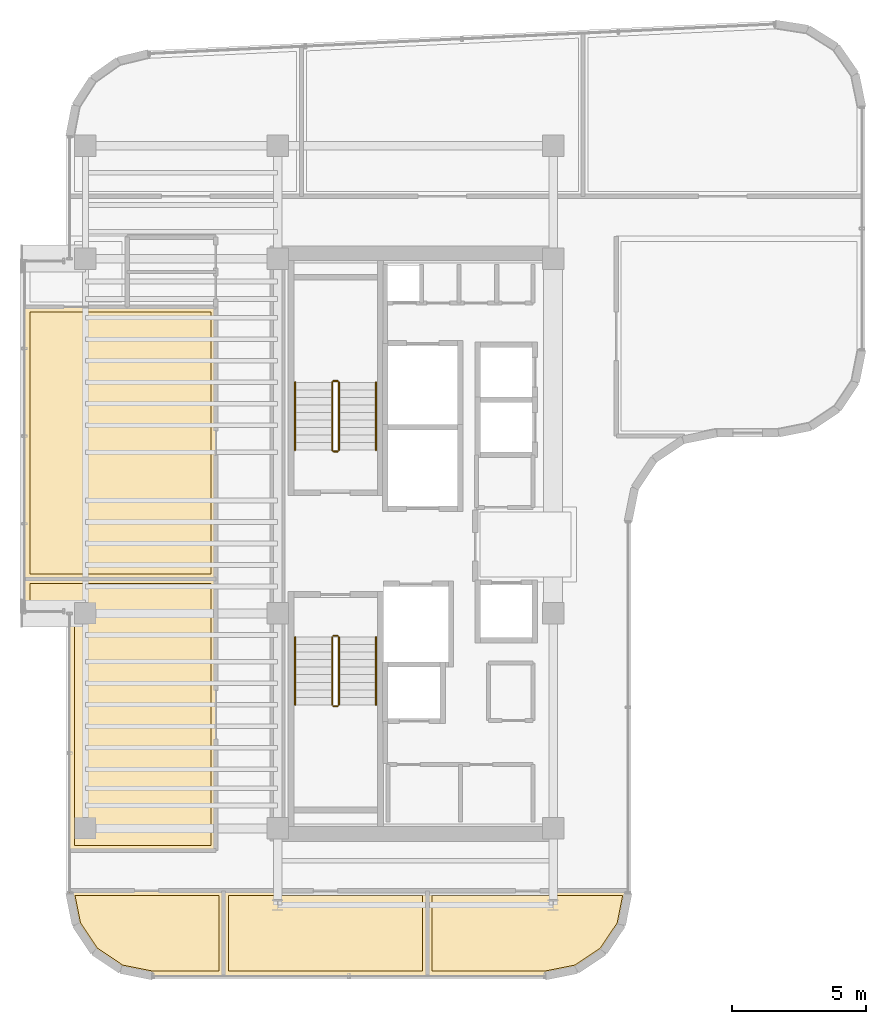
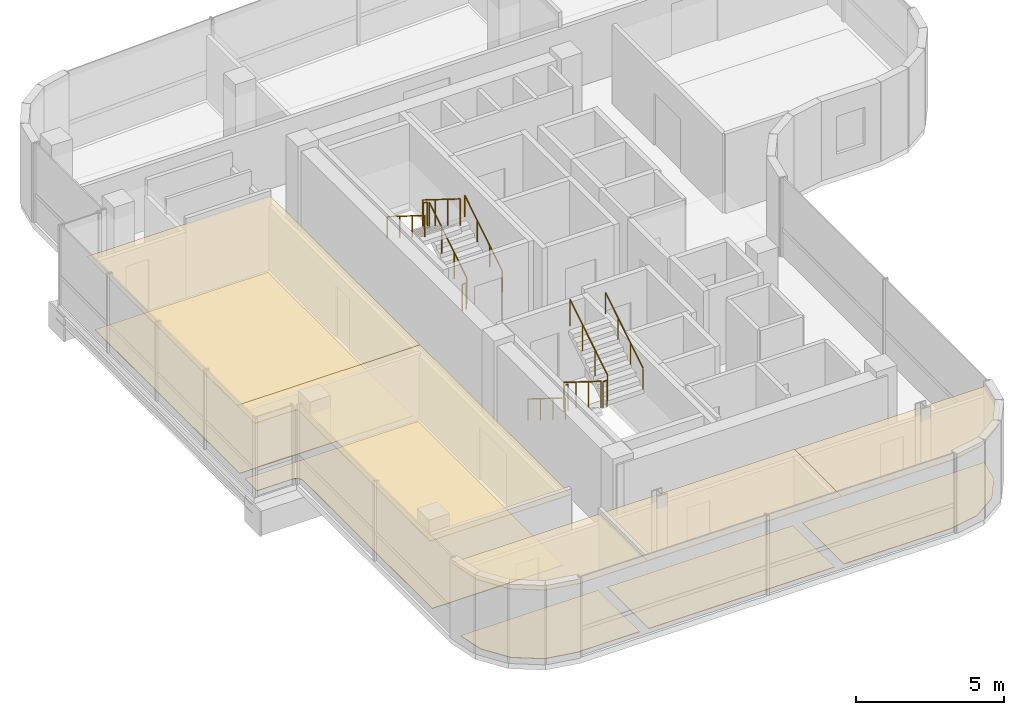
# One storey, part 17 of 18: 12 railings, 10 coverings.
"""IFC4 building model written with IfcOpenShell, lengths in metres."""

from ifc_helpers import new_model, si_unit, direction, frame, origin, origin_2d, place, context, subcontext, project, spatial, polyline, circle, outline, extrude, material, layer, layer_set, type_object, element, save


model = new_model("IFC4")

# Units and contexts
model_context = context("Model", 3, precision=1e-05, world=origin(), true_north=direction((0.0, 1.0)))
body_context = subcontext(model_context, "Body", "Model", "MODEL_VIEW")
ifc_project = project(units=[si_unit("LENGTHUNIT", "METRE"), si_unit("AREAUNIT", "SQUARE_METRE"), si_unit("VOLUMEUNIT", "CUBIC_METRE"), si_unit("PLANEANGLEUNIT", "RADIAN"), si_unit("MASSUNIT", "GRAM", prefix="KILO")], contexts=[model_context])

# Site, building, storey
site_placement = place(None, origin())
site = spatial("IfcSite", under=ifc_project, at=site_placement, CompositionType="ELEMENT")
building_placement = place(site_placement, origin())
building = spatial("IfcBuilding", under=site, at=building_placement, Name="Valdorenza Pilgrim Sanctuary Tower", CompositionType="ELEMENT")
storey_placement = place(building_placement, frame((0.0, 0.0, 273.0)))
storey = spatial("IfcBuildingStorey", under=building, at=storey_placement, Name="L71", CompositionType="ELEMENT", Elevation=273.0)

# Coverings
ifc_material_1 = material(Name="Micro-perforated acoustic mineral ceiling tile", Category="gypsum")
ifc_layer_1 = layer(ifc_material_1, 0.02490234375, Name="Micro-perforated acoustic mineral ceiling tile")
ifc_layer_set_1 = layer_set([ifc_layer_1], Name="Micro-perforated acoustic mineral ceiling tile")
covering_type_1 = type_object("IfcCoveringType", Name="COV-CLG-ACU", PredefinedType="CEILING", material=ifc_layer_set_1)
covering_1_placement = place(storey_placement, frame((0.0, 0.0, 2.9599609375)))
element("IfcCovering", 1, at=covering_1_placement, inside=storey, type_object=covering_type_1, Name="L71 Sacred Art Exhibition Gallery L71-W1 Acoustic Ceiling", PredefinedType="CEILING", context=body_context, shape_type="SweptSolid", body=[
    extrude(outline(polyline([(-24.93505859375, -11.419921875), (-24.93505859375, -11.42138671875), (-24.935302734375, -11.4228515625), (-24.935546875, -11.42431640625), (-24.93603515625, -11.42578125), (-24.936767578125, -11.427001953125), (-24.9375, -11.42822265625), (-24.9384765625, -11.429443359375), (-24.939453125, -11.4306640625), (-24.9404296875, -11.431640625), (-24.941650390625, -11.4326171875), (-24.94287109375, -11.43310546875), (-24.9443359375, -11.433837890625), (-24.945556640625, -11.434326171875), (-24.947021484375, -11.434814453125), (-24.948486328125, -11.434814453125), (-24.949951171875, -11.43505859375), (-30.389892578125, -11.43505859375), (-30.3916015625, -11.434814453125), (-30.392822265625, -11.434814453125), (-30.394287109375, -11.434326171875), (-30.395751953125, -11.433837890625), (-30.397216796875, -11.43310546875), (-30.398193359375, -11.4326171875), (-30.3994140625, -11.431640625), (-30.400634765625, -11.4306640625), (-30.401611328125, -11.429443359375), (-30.402587890625, -11.42822265625), (-30.4033203125, -11.427001953125), (-30.40380859375, -11.42578125), (-30.404296875, -11.42431640625), (-30.40478515625, -11.4228515625), (-30.40478515625, -11.42138671875), (-30.405029296875, -11.419921875), (-30.405029296875, -2.600341796875), (-30.405517578125, -2.5908203125), (-30.40673828125, -2.58154296875), (-30.4091796875, -2.572509765625), (-30.412109375, -2.563720703125), (-30.416259765625, -2.55517578125), (-30.4208984375, -2.547119140625), (-30.426513671875, -2.539794921875), (-30.432861328125, -2.53271484375), (-30.439697265625, -2.526611328125), (-30.447265625, -2.52099609375), (-30.455078125, -2.51611328125), (-30.463623046875, -2.51220703125), (-30.472412109375, -2.509033203125), (-30.4814453125, -2.5068359375), (-30.49072265625, -2.505615234375), (-30.50048828125, -2.5048828125), (-32.0400390625, -2.5048828125), (-32.04150390625, -2.5048828125), (-32.04296875, -2.504638671875), (-32.04443359375, -2.50439453125), (-32.045654296875, -2.50390625), (-32.047119140625, -2.503173828125), (-32.04833984375, -2.50244140625), (-32.049560546875, -2.501708984375), (-32.050537109375, -2.50048828125), (-32.051513671875, -2.49951171875), (-32.052490234375, -2.498291015625), (-32.05322265625, -2.4970703125), (-32.053955078125, -2.49560546875), (-32.054443359375, -2.494384765625), (-32.0546875, -2.492919921875), (-32.054931640625, -2.491455078125), (-32.054931640625, -2.489990234375), (-32.054931640625, -1.31005859375), (-32.054931640625, -1.30859375), (-32.0546875, -1.30712890625), (-32.054443359375, -1.3056640625), (-32.053955078125, -1.30419921875), (-32.05322265625, -1.302978515625), (-32.052490234375, -1.3017578125), (-32.051513671875, -1.300537109375), (-32.050537109375, -1.29931640625), (-32.049560546875, -1.29833984375), (-32.04833984375, -1.297607421875), (-32.047119140625, -1.296875), (-32.045654296875, -1.296142578125), (-32.04443359375, -1.295654296875), (-32.04296875, -1.29541015625), (-32.04150390625, -1.295166015625), (-32.0400390625, -1.294921875), (-24.949951171875, -1.294921875), (-24.948486328125, -1.295166015625), (-24.947021484375, -1.29541015625), (-24.945556640625, -1.295654296875), (-24.9443359375, -1.296142578125), (-24.94287109375, -1.296875), (-24.941650390625, -1.297607421875), (-24.9404296875, -1.29833984375), (-24.939453125, -1.29931640625), (-24.9384765625, -1.300537109375), (-24.9375, -1.3017578125), (-24.936767578125, -1.302978515625), (-24.93603515625, -1.30419921875), (-24.935546875, -1.3056640625), (-24.935302734375, -1.30712890625), (-24.93505859375, -1.30859375), (-24.93505859375, -1.31005859375), (-24.93505859375, -11.419921875)])), origin(), (0.0, 0.0, 1.0), 0.025146484375),
])
covering_2_placement = place(storey_placement, frame((0.0, 0.0, 2.9599609375)))
element("IfcCovering", 2, at=covering_2_placement, inside=storey, type_object=covering_type_1, Name="L71 Sacred Manuscript Archive L71-W2 Acoustic Ceiling", PredefinedType="CEILING", context=body_context, shape_type="SweptSolid", body=[
    extrude(outline(polyline([(-28.253662109375, 8.81298828125), (-28.253173828125, 8.81298828125), (-28.25146484375, 8.813232421875), (-28.25, 8.813232421875), (-28.24853515625, 8.81298828125), (-28.248291015625, 8.81298828125), (-24.949951171875, 8.81298828125), (-24.948486328125, 8.81298828125), (-24.947021484375, 8.812744140625), (-24.945556640625, 8.8125), (-24.9443359375, 8.81201171875), (-24.94287109375, 8.811279296875), (-24.941650390625, 8.810546875), (-24.9404296875, 8.8095703125), (-24.939453125, 8.80859375), (-24.9384765625, 8.8076171875), (-24.9375, 8.806396484375), (-24.936767578125, 8.80517578125), (-24.93603515625, 8.8037109375), (-24.935546875, 8.802490234375), (-24.935302734375, 8.80078125), (-24.93505859375, 8.799560546875), (-24.93505859375, 8.798095703125), (-24.93505859375, -1.30810546875), (-24.93505859375, -1.3095703125), (-24.935302734375, -1.310791015625), (-24.935546875, -1.3125), (-24.93603515625, -1.313720703125), (-24.936767578125, -1.315185546875), (-24.9375, -1.31640625), (-24.9384765625, -1.3173828125), (-24.939453125, -1.318603515625), (-24.9404296875, -1.319580078125), (-24.941650390625, -1.320556640625), (-24.94287109375, -1.3212890625), (-24.9443359375, -1.322021484375), (-24.945556640625, -1.322509765625), (-24.947021484375, -1.32275390625), (-24.948486328125, -1.322998046875), (-24.949951171875, -1.322998046875), (-32.0400390625, -1.322998046875), (-32.04150390625, -1.322998046875), (-32.04296875, -1.32275390625), (-32.04443359375, -1.322509765625), (-32.045654296875, -1.322021484375), (-32.047119140625, -1.3212890625), (-32.04833984375, -1.320556640625), (-32.049560546875, -1.319580078125), (-32.050537109375, -1.318603515625), (-32.051513671875, -1.3173828125), (-32.052490234375, -1.31640625), (-32.05322265625, -1.315185546875), (-32.053955078125, -1.313720703125), (-32.054443359375, -1.3125), (-32.0546875, -1.310791015625), (-32.054931640625, -1.3095703125), (-32.054931640625, -1.30810546875), (-32.054931640625, 8.798095703125), (-32.054931640625, 8.799560546875), (-32.0546875, 8.80078125), (-32.054443359375, 8.802490234375), (-32.053955078125, 8.8037109375), (-32.05322265625, 8.80517578125), (-32.052490234375, 8.806396484375), (-32.051513671875, 8.8076171875), (-32.050537109375, 8.80859375), (-32.049560546875, 8.8095703125), (-32.04833984375, 8.810546875), (-32.047119140625, 8.811279296875), (-32.045654296875, 8.81201171875), (-32.04443359375, 8.8125), (-32.04296875, 8.812744140625), (-32.04150390625, 8.81298828125), (-32.0400390625, 8.81298828125), (-28.253662109375, 8.81298828125)])), origin(), (0.0, 0.0, 1.0), 0.025146484375),
])
covering_3_placement = place(storey_placement, frame((0.0, 0.0, 2.9599609375)))
element("IfcCovering", 3, at=covering_3_placement, inside=storey, type_object=covering_type_1, Name="L71 Pilgrim Scholar Office L71-S1 Acoustic Ceiling", PredefinedType="CEILING", context=body_context, shape_type="SweptSolid", body=[
    extrude(outline(polyline([(-24.64501953125, -16.090087890625), (-24.64501953125, -16.091552734375), (-24.645263671875, -16.093017578125), (-24.6455078125, -16.094482421875), (-24.64599609375, -16.095703125), (-24.646728515625, -16.09716796875), (-24.6474609375, -16.098388671875), (-24.6484375, -16.099609375), (-24.6494140625, -16.1005859375), (-24.650390625, -16.1015625), (-24.651611328125, -16.1025390625), (-24.65283203125, -16.103271484375), (-24.654296875, -16.10400390625), (-24.655517578125, -16.1044921875), (-24.656982421875, -16.104736328125), (-24.658447265625, -16.10498046875), (-24.659912109375, -16.10498046875), (-27.289306640625, -16.10498046875), (-27.29052734375, -16.10498046875), (-27.2919921875, -16.104736328125), (-28.484619140625, -15.867431640625), (-28.486083984375, -15.8671875), (-28.4873046875, -15.86669921875), (-28.48876953125, -15.865966796875), (-28.489990234375, -15.865234375), (-29.49169921875, -15.19580078125), (-29.492919921875, -15.195068359375), (-29.493896484375, -15.194091796875), (-29.4951171875, -15.19287109375), (-29.495849609375, -15.191650390625), (-30.165283203125, -14.18994140625), (-30.166015625, -14.188720703125), (-30.16650390625, -14.1875), (-30.1669921875, -14.18603515625), (-30.16748046875, -14.1845703125), (-30.40478515625, -12.9921875), (-30.40478515625, -12.990478515625), (-30.405029296875, -12.9892578125), (-30.405029296875, -12.919921875), (-30.40478515625, -12.91845703125), (-30.40478515625, -12.9169921875), (-30.404296875, -12.91552734375), (-30.40380859375, -12.914306640625), (-30.4033203125, -12.912841796875), (-30.402587890625, -12.91162109375), (-30.401611328125, -12.910400390625), (-30.400634765625, -12.909423828125), (-30.3994140625, -12.908447265625), (-30.398193359375, -12.907470703125), (-30.397216796875, -12.90673828125), (-30.395751953125, -12.906005859375), (-30.394287109375, -12.905517578125), (-30.392822265625, -12.9052734375), (-30.3916015625, -12.905029296875), (-30.389892578125, -12.905029296875), (-24.659912109375, -12.905029296875), (-24.658447265625, -12.905029296875), (-24.656982421875, -12.9052734375), (-24.655517578125, -12.905517578125), (-24.654296875, -12.906005859375), (-24.65283203125, -12.90673828125), (-24.651611328125, -12.907470703125), (-24.650390625, -12.908447265625), (-24.6494140625, -12.909423828125), (-24.6484375, -12.910400390625), (-24.6474609375, -12.91162109375), (-24.646728515625, -12.912841796875), (-24.64599609375, -12.914306640625), (-24.6455078125, -12.91552734375), (-24.645263671875, -12.9169921875), (-24.64501953125, -12.91845703125), (-24.64501953125, -12.919921875), (-24.64501953125, -16.090087890625)])), origin(), (0.0, 0.0, 1.0), 0.025146484375),
])
covering_4_placement = place(storey_placement, frame((0.0, 0.0, 2.9599609375)))
element("IfcCovering", 4, at=covering_4_placement, inside=storey, type_object=covering_type_1, Name="L71 Pilgrim Scholar Office L71-S2 Acoustic Ceiling", PredefinedType="CEILING", context=body_context, shape_type="SweptSolid", body=[
    extrude(outline(polyline([(-17.080078125, -12.905029296875), (-17.07861328125, -12.905029296875), (-17.0771484375, -12.9052734375), (-17.07568359375, -12.905517578125), (-17.07421875, -12.906005859375), (-17.072998046875, -12.90673828125), (-17.07177734375, -12.907470703125), (-17.070556640625, -12.908447265625), (-17.0693359375, -12.909423828125), (-17.068359375, -12.910400390625), (-17.0673828125, -12.91162109375), (-17.06689453125, -12.912841796875), (-17.066162109375, -12.914306640625), (-17.065673828125, -12.91552734375), (-17.065185546875, -12.9169921875), (-17.065185546875, -12.91845703125), (-17.06494140625, -12.919921875), (-17.06494140625, -16.090087890625), (-17.065185546875, -16.091552734375), (-17.065185546875, -16.093017578125), (-17.065673828125, -16.094482421875), (-17.066162109375, -16.095703125), (-17.06689453125, -16.09716796875), (-17.0673828125, -16.098388671875), (-17.068359375, -16.099609375), (-17.0693359375, -16.1005859375), (-17.070556640625, -16.1015625), (-17.07177734375, -16.1025390625), (-17.072998046875, -16.103271484375), (-17.07421875, -16.10400390625), (-17.07568359375, -16.1044921875), (-17.0771484375, -16.104736328125), (-17.07861328125, -16.10498046875), (-17.080078125, -16.10498046875), (-24.657958984375, -16.10498046875), (-24.659423828125, -16.10498046875), (-24.660888671875, -16.104736328125), (-24.662353515625, -16.1044921875), (-24.663818359375, -16.10400390625), (-24.6650390625, -16.103271484375), (-24.666259765625, -16.1025390625), (-24.66748046875, -16.1015625), (-24.668701171875, -16.1005859375), (-24.669677734375, -16.099609375), (-24.67041015625, -16.098388671875), (-24.671142578125, -16.09716796875), (-24.671875, -16.095703125), (-24.67236328125, -16.094482421875), (-24.672607421875, -16.093017578125), (-24.6728515625, -16.091552734375), (-24.673095703125, -16.090087890625), (-24.673095703125, -12.919921875), (-24.6728515625, -12.91845703125), (-24.672607421875, -12.9169921875), (-24.67236328125, -12.91552734375), (-24.671875, -12.914306640625), (-24.671142578125, -12.912841796875), (-24.67041015625, -12.91162109375), (-24.669677734375, -12.910400390625), (-24.668701171875, -12.909423828125), (-24.66748046875, -12.908447265625), (-24.666259765625, -12.907470703125), (-24.6650390625, -12.90673828125), (-24.663818359375, -12.906005859375), (-24.662353515625, -12.905517578125), (-24.660888671875, -12.9052734375), (-24.659423828125, -12.905029296875), (-24.657958984375, -12.905029296875), (-17.080078125, -12.905029296875)])), origin(), (0.0, 0.0, 1.0), 0.025146484375),
])
covering_5_placement = place(storey_placement, frame((0.0, 0.0, 2.9599609375)))
element("IfcCovering", 5, at=covering_5_placement, inside=storey, type_object=covering_type_1, Name="L71 Pilgrim Scholar Office L71-S3 Acoustic Ceiling", PredefinedType="CEILING", context=body_context, shape_type="SweptSolid", body=[
    extrude(outline(polyline([(-9.610107421875, -12.905029296875), (-9.6083984375, -12.905029296875), (-9.607177734375, -12.9052734375), (-9.605712890625, -12.905517578125), (-9.604248046875, -12.906005859375), (-9.602783203125, -12.90673828125), (-9.601806640625, -12.907470703125), (-9.6005859375, -12.908447265625), (-9.599365234375, -12.909423828125), (-9.598388671875, -12.910400390625), (-9.597412109375, -12.91162109375), (-9.5966796875, -12.912841796875), (-9.59619140625, -12.914306640625), (-9.595703125, -12.91552734375), (-9.59521484375, -12.9169921875), (-9.59521484375, -12.91845703125), (-9.594970703125, -12.919921875), (-9.594970703125, -12.9892578125), (-9.59521484375, -12.990478515625), (-9.59521484375, -12.9921875), (-9.83251953125, -14.1845703125), (-9.8330078125, -14.18603515625), (-9.83349609375, -14.1875), (-9.833984375, -14.188720703125), (-9.834716796875, -14.18994140625), (-10.504150390625, -15.191650390625), (-10.5048828125, -15.19287109375), (-10.506103515625, -15.194091796875), (-10.507080078125, -15.195068359375), (-10.50830078125, -15.19580078125), (-11.510009765625, -15.865234375), (-11.51123046875, -15.865966796875), (-11.5126953125, -15.86669921875), (-11.513916015625, -15.8671875), (-11.515380859375, -15.867431640625), (-12.7080078125, -16.104736328125), (-12.70947265625, -16.10498046875), (-12.710693359375, -16.10498046875), (-17.077880859375, -16.10498046875), (-17.07958984375, -16.10498046875), (-17.080810546875, -16.104736328125), (-17.08251953125, -16.1044921875), (-17.083740234375, -16.10400390625), (-17.085205078125, -16.103271484375), (-17.086181640625, -16.1025390625), (-17.08740234375, -16.1015625), (-17.088623046875, -16.1005859375), (-17.089599609375, -16.099609375), (-17.090576171875, -16.098388671875), (-17.09130859375, -16.09716796875), (-17.091796875, -16.095703125), (-17.09228515625, -16.094482421875), (-17.0927734375, -16.093017578125), (-17.093017578125, -16.091552734375), (-17.093017578125, -16.090087890625), (-17.093017578125, -12.919921875), (-17.093017578125, -12.91845703125), (-17.0927734375, -12.9169921875), (-17.09228515625, -12.91552734375), (-17.091796875, -12.914306640625), (-17.09130859375, -12.912841796875), (-17.090576171875, -12.91162109375), (-17.089599609375, -12.910400390625), (-17.088623046875, -12.909423828125), (-17.08740234375, -12.908447265625), (-17.086181640625, -12.907470703125), (-17.085205078125, -12.90673828125), (-17.083740234375, -12.906005859375), (-17.08251953125, -12.905517578125), (-17.080810546875, -12.9052734375), (-17.07958984375, -12.905029296875), (-17.077880859375, -12.905029296875), (-9.610107421875, -12.905029296875)])), origin(), (0.0, 0.0, 1.0), 0.025146484375),
])
ifc_material_2 = material(Name="Honed travertine stone flooring", Category="masonry")
ifc_layer_2 = layer(ifc_material_2, 0.030029296875, Name="Honed travertine stone flooring")
ifc_layer_set_2 = layer_set([ifc_layer_2], Name="Honed travertine stone flooring")
covering_type_2 = type_object("IfcCoveringType", Name="COV-FLR-TRV", PredefinedType="FLOORING", material=ifc_layer_set_2)
covering_6_placement = place(storey_placement, origin())
element("IfcCovering", 6, at=covering_6_placement, inside=storey, type_object=covering_type_2, Name="L71 Sacred Art Exhibition Gallery L71-W1 Flooring", PredefinedType="FLOORING", context=body_context, shape_type="SweptSolid", body=[
    extrude(outline(polyline([(-25.1298828125, -11.239990234375), (-30.2099609375, -11.239990234375), (-30.2099609375, -2.60009765625), (-30.210205078125, -2.59130859375), (-30.210693359375, -2.580322265625), (-30.21240234375, -2.562744140625), (-30.214111328125, -2.552001953125), (-30.217529296875, -2.534912109375), (-30.22021484375, -2.5244140625), (-30.225341796875, -2.50732421875), (-30.22900390625, -2.497314453125), (-30.235595703125, -2.48095703125), (-30.240234375, -2.47119140625), (-30.24853515625, -2.45556640625), (-30.254150390625, -2.4462890625), (-30.263916015625, -2.431640625), (-30.2705078125, -2.423095703125), (-30.281494140625, -2.4091796875), (-30.288818359375, -2.4013671875), (-30.30126953125, -2.388916015625), (-30.309326171875, -2.381591796875), (-30.322998046875, -2.370361328125), (-30.331787109375, -2.364013671875), (-30.34619140625, -2.35400390625), (-30.355712890625, -2.3486328125), (-30.37109375, -2.34033203125), (-30.380859375, -2.335693359375), (-30.397216796875, -2.328857421875), (-30.407470703125, -2.3251953125), (-30.42431640625, -2.320068359375), (-30.434814453125, -2.3173828125), (-30.4521484375, -2.314208984375), (-30.462890625, -2.3125), (-30.48046875, -2.310791015625), (-30.4912109375, -2.310302734375), (-30.5, -2.31005859375), (-31.860107421875, -2.31005859375), (-31.860107421875, -1.489990234375), (-25.1298828125, -1.489990234375), (-25.1298828125, -11.239990234375)])), origin(), (0.0, 0.0, 1.0), 0.02490234375),
])
covering_7_placement = place(storey_placement, origin())
element("IfcCovering", 7, at=covering_7_placement, inside=storey, type_object=covering_type_2, Name="L71 Sacred Manuscript Archive L71-W2 Flooring", PredefinedType="FLOORING", context=body_context, shape_type="SweptSolid", body=[
    extrude(outline(polyline([(-28.250244140625, 8.617919921875), (-28.25, 8.617919921875), (-25.1298828125, 8.617919921875), (-25.1298828125, -1.1279296875), (-31.860107421875, -1.1279296875), (-31.860107421875, 8.617919921875), (-28.251953125, 8.617919921875), (-28.2509765625, 8.617919921875), (-28.250244140625, 8.617919921875)])), origin(), (0.0, 0.0, 1.0), 0.02490234375),
])
covering_8_placement = place(storey_placement, origin())
element("IfcCovering", 8, at=covering_8_placement, inside=storey, type_object=covering_type_2, Name="L71 Pilgrim Scholar Office L71-S1 Flooring", PredefinedType="FLOORING", context=body_context, shape_type="SweptSolid", body=[
    extrude(outline(polyline([(-30.184326171875, -13.10009765625), (-24.840087890625, -13.10009765625), (-24.840087890625, -15.909912109375), (-27.271484375, -15.909912109375), (-28.411376953125, -15.68310546875), (-29.353515625, -15.0537109375), (-29.983154296875, -14.111328125), (-30.184326171875, -13.10009765625)])), origin(), (0.0, 0.0, 1.0), 0.02490234375),
])
covering_9_placement = place(storey_placement, origin())
element("IfcCovering", 9, at=covering_9_placement, inside=storey, type_object=covering_type_2, Name="L71 Pilgrim Scholar Office L71-S2 Flooring", PredefinedType="FLOORING", context=body_context, shape_type="SweptSolid", body=[
    extrude(outline(polyline([(-17.260009765625, -13.10009765625), (-17.260009765625, -15.909912109375), (-24.47802734375, -15.909912109375), (-24.47802734375, -13.10009765625), (-17.260009765625, -13.10009765625)])), origin(), (0.0, 0.0, 1.0), 0.02490234375),
])
covering_10_placement = place(storey_placement, origin())
element("IfcCovering", 10, at=covering_10_placement, inside=storey, type_object=covering_type_2, Name="L71 Pilgrim Scholar Office L71-S3 Flooring", PredefinedType="FLOORING", context=body_context, shape_type="SweptSolid", body=[
    extrude(outline(polyline([(-9.815673828125, -13.10009765625), (-10.016845703125, -14.111328125), (-10.646484375, -15.0537109375), (-11.588623046875, -15.68310546875), (-12.728515625, -15.909912109375), (-16.89794921875, -15.909912109375), (-16.89794921875, -13.10009765625), (-9.815673828125, -13.10009765625)])), origin(), (0.0, 0.0, 1.0), 0.02490234375),
])

# Railings
ifc_material_3 = material(Name="Stainless steel Grade 316", Category="steel")
railing_type_1 = type_object("IfcRailingType", Name="RLG-GRD-1120", PredefinedType="GUARDRAIL", material=ifc_material_3)
railing_1_placement = place(storey_placement, frame((-20.3701171875, 3.47998046875, 0.175048828125)))
element("IfcRailing", 11, at=railing_1_placement, inside=storey, type_object=railing_type_1, Name="L71 ST-A1 stair guard 1", PredefinedType="GUARDRAIL", context=body_context, shape_type="SweptSolid", body=[
    extrude(circle(Radius=0.02392578125, at=origin_2d()), frame((0.0, 0.0, 1.076171875), z_axis=(0.0, 0.848007534815, 0.529984170421), x_axis=(-1.0, 0.0, 0.0)), (0.0, 0.0, 1.0), 2.9716796875),
    extrude(circle(Radius=0.02099609375, at=origin_2d()), origin(), (0.0, 0.0, 1.0), 1.052001953125),
    extrude(circle(Radius=0.02099609375, at=origin_2d()), frame((0.0, 0.840087890625, 0.52490234375)), (0.0, 0.0, 1.0), 1.052001953125),
    extrude(circle(Radius=0.02099609375, at=origin_2d()), frame((0.0, 1.679931640625, 1.050048828125)), (0.0, 0.0, 1.0), 1.052001953125),
    extrude(circle(Radius=0.02099609375, at=origin_2d()), frame((0.0, 2.52001953125, 1.574951171875)), (0.0, 0.0, 1.0), 1.052001953125),
])
railing_2_placement = place(storey_placement, frame((-20.419921875, 6.050048828125, 1.75)))
element("IfcRailing", 12, at=railing_2_placement, inside=storey, type_object=railing_type_1, Name="L71 ST-A1 stair guard 2", PredefinedType="GUARDRAIL", context=body_context, shape_type="SweptSolid", body=[
    extrude(circle(Radius=0.02392578125, at=origin_2d()), frame((0.0, 0.0, 1.076171875), z_axis=(-1.0, 0.0, 0.0), x_axis=(0.0, -1.0, 0.0)), (0.0, 0.0, 1.0), 0.150146484375),
    extrude(circle(Radius=0.02099609375, at=origin_2d()), origin(), (0.0, 0.0, 1.0), 1.052001953125),
    extrude(circle(Radius=0.02099609375, at=origin_2d()), frame((-0.150146484375, 0.0, 0.0)), (0.0, 0.0, 1.0), 1.052001953125),
])
railing_3_placement = place(storey_placement, frame((-20.6201171875, 6.0, 1.925048828125)))
element("IfcRailing", 13, at=railing_3_placement, inside=storey, type_object=railing_type_1, Name="L71 ST-A1 stair guard 3", PredefinedType="GUARDRAIL", context=body_context, shape_type="SweptSolid", body=[
    extrude(circle(Radius=0.02392578125, at=origin_2d()), frame((0.0, 0.0, 1.076171875), z_axis=(0.0, -0.848007534815, 0.529984170421), x_axis=(1.0, 0.0, 0.0)), (0.0, 0.0, 1.0), 2.9716796875),
    extrude(circle(Radius=0.02099609375, at=origin_2d()), origin(), (0.0, 0.0, 1.0), 1.052001953125),
    extrude(circle(Radius=0.02099609375, at=origin_2d()), frame((0.0, -0.840087890625, 0.52490234375)), (0.0, 0.0, 1.0), 1.052001953125),
    extrude(circle(Radius=0.02099609375, at=origin_2d()), frame((0.0, -1.679931640625, 1.050048828125)), (0.0, 0.0, 1.0), 1.052001953125),
    extrude(circle(Radius=0.02099609375, at=origin_2d()), frame((0.0, -2.52001953125, 1.574951171875)), (0.0, 0.0, 1.0), 1.052001953125),
])
railing_4_placement = place(storey_placement, frame((-20.419921875, 3.429931640625, 0.0)))
element("IfcRailing", 14, at=railing_4_placement, inside=storey, type_object=railing_type_1, Name="L71 ST-A1 stair guard 4", PredefinedType="GUARDRAIL", context=body_context, shape_type="SweptSolid", body=[
    extrude(circle(Radius=0.02392578125, at=origin_2d()), frame((0.0, 0.0, 1.076171875), z_axis=(-1.0, 0.0, 0.0), x_axis=(0.0, -1.0, 0.0)), (0.0, 0.0, 1.0), 0.150146484375),
    extrude(circle(Radius=0.02099609375, at=origin_2d()), origin(), (0.0, 0.0, 1.0), 1.052001953125),
    extrude(circle(Radius=0.02099609375, at=origin_2d()), frame((-0.150146484375, 0.0, 0.0)), (0.0, 0.0, 1.0), 1.052001953125),
])
railing_5_placement = place(storey_placement, frame((-20.6201171875, -3.47998046875, 0.175048828125)))
element("IfcRailing", 15, at=railing_5_placement, inside=storey, type_object=railing_type_1, Name="L71 ST-A2 stair guard 1", PredefinedType="GUARDRAIL", context=body_context, shape_type="SweptSolid", body=[
    extrude(circle(Radius=0.02392578125, at=origin_2d()), frame((0.0, 0.0, 1.076171875), z_axis=(0.0, -0.848007534815, 0.529984170421), x_axis=(1.0, 0.0, 0.0)), (0.0, 0.0, 1.0), 2.9716796875),
    extrude(circle(Radius=0.02099609375, at=origin_2d()), origin(), (0.0, 0.0, 1.0), 1.052001953125),
    extrude(circle(Radius=0.02099609375, at=origin_2d()), frame((0.0, -0.840087890625, 0.52490234375)), (0.0, 0.0, 1.0), 1.052001953125),
    extrude(circle(Radius=0.02099609375, at=origin_2d()), frame((0.0, -1.679931640625, 1.050048828125)), (0.0, 0.0, 1.0), 1.052001953125),
    extrude(circle(Radius=0.02099609375, at=origin_2d()), frame((0.0, -2.52001953125, 1.574951171875)), (0.0, 0.0, 1.0), 1.052001953125),
])
railing_6_placement = place(storey_placement, frame((-20.570068359375, -6.050048828125, 1.75)))
element("IfcRailing", 16, at=railing_6_placement, inside=storey, type_object=railing_type_1, Name="L71 ST-A2 stair guard 2", PredefinedType="GUARDRAIL", context=body_context, shape_type="SweptSolid", body=[
    extrude(circle(Radius=0.02392578125, at=origin_2d()), frame((0.0, 0.0, 1.076171875), z_axis=(1.0, 0.0, 0.0), x_axis=(0.0, 1.0, 0.0)), (0.0, 0.0, 1.0), 0.150146484375),
    extrude(circle(Radius=0.02099609375, at=origin_2d()), origin(), (0.0, 0.0, 1.0), 1.052001953125),
    extrude(circle(Radius=0.02099609375, at=origin_2d()), frame((0.150146484375, 0.0, 0.0)), (0.0, 0.0, 1.0), 1.052001953125),
])
railing_7_placement = place(storey_placement, frame((-20.3701171875, -6.0, 1.925048828125)))
element("IfcRailing", 17, at=railing_7_placement, inside=storey, type_object=railing_type_1, Name="L71 ST-A2 stair guard 3", PredefinedType="GUARDRAIL", context=body_context, shape_type="SweptSolid", body=[
    extrude(circle(Radius=0.02392578125, at=origin_2d()), frame((0.0, 0.0, 1.076171875), z_axis=(0.0, 0.848007534815, 0.529984170421), x_axis=(-1.0, 0.0, 0.0)), (0.0, 0.0, 1.0), 2.9716796875),
    extrude(circle(Radius=0.02099609375, at=origin_2d()), origin(), (0.0, 0.0, 1.0), 1.052001953125),
    extrude(circle(Radius=0.02099609375, at=origin_2d()), frame((0.0, 0.840087890625, 0.52490234375)), (0.0, 0.0, 1.0), 1.052001953125),
    extrude(circle(Radius=0.02099609375, at=origin_2d()), frame((0.0, 1.679931640625, 1.050048828125)), (0.0, 0.0, 1.0), 1.052001953125),
    extrude(circle(Radius=0.02099609375, at=origin_2d()), frame((0.0, 2.52001953125, 1.574951171875)), (0.0, 0.0, 1.0), 1.052001953125),
])
railing_8_placement = place(storey_placement, frame((-20.570068359375, -3.429931640625, 0.0)))
element("IfcRailing", 18, at=railing_8_placement, inside=storey, type_object=railing_type_1, Name="L71 ST-A2 stair guard 4", PredefinedType="GUARDRAIL", context=body_context, shape_type="SweptSolid", body=[
    extrude(circle(Radius=0.02392578125, at=origin_2d()), frame((0.0, 0.0, 1.076171875), z_axis=(1.0, 0.0, 0.0), x_axis=(0.0, 1.0, 0.0)), (0.0, 0.0, 1.0), 0.150146484375),
    extrude(circle(Radius=0.02099609375, at=origin_2d()), origin(), (0.0, 0.0, 1.0), 1.052001953125),
    extrude(circle(Radius=0.02099609375, at=origin_2d()), frame((0.150146484375, 0.0, 0.0)), (0.0, 0.0, 1.0), 1.052001953125),
])
ifc_material_4 = material(Name="Brushed stainless steel Grade 316", Category="steel")
railing_type_2 = type_object("IfcRailingType", Name="RLG-HND-920", PredefinedType="HANDRAIL", material=ifc_material_4)
railing_9_placement = place(storey_placement, frame((-18.989990234375, 3.47998046875, 0.175048828125)))
element("IfcRailing", 19, at=railing_9_placement, inside=storey, type_object=railing_type_2, Name="L71 ST-A1 stair handrail 1", PredefinedType="HANDRAIL", context=body_context, shape_type="SweptSolid", body=[
    extrude(circle(Radius=0.02392578125, at=origin_2d()), frame((0.0, 0.0, 0.8759765625), z_axis=(0.0, 0.848007534815, 0.529984170421), x_axis=(-1.0, 0.0, 0.0)), (0.0, 0.0, 1.0), 2.9716796875),
    extrude(circle(Radius=0.02099609375, at=origin_2d()), origin(), (0.0, 0.0, 1.0), 0.851806640625),
    extrude(circle(Radius=0.02099609375, at=origin_2d()), frame((0.0, 0.840087890625, 0.52490234375)), (0.0, 0.0, 1.0), 0.851806640625),
    extrude(circle(Radius=0.02099609375, at=origin_2d()), frame((0.0, 1.679931640625, 1.050048828125)), (0.0, 0.0, 1.0), 0.851806640625),
    extrude(circle(Radius=0.02099609375, at=origin_2d()), frame((0.0, 2.52001953125, 1.574951171875)), (0.0, 0.0, 1.0), 0.851806640625),
])
for number, where, name in (
    (20, (-22.0, 6.0, 1.925048828125), "L71 ST-A1 stair handrail 2"),
    (21, (-22.0, -3.47998046875, 0.175048828125), "L71 ST-A2 stair handrail 1"),
):
    element("IfcRailing", number, at=place(storey_placement, frame(where)), inside=storey, type_object=railing_type_2, Name=name, PredefinedType="HANDRAIL", context=body_context, shape_type="SweptSolid", body=[
        extrude(circle(Radius=0.02392578125, at=origin_2d()), frame((0.0, 0.0, 0.8759765625), z_axis=(0.0, -0.848007534815, 0.529984170421), x_axis=(1.0, 0.0, 0.0)), (0.0, 0.0, 1.0), 2.9716796875),
        extrude(circle(Radius=0.02099609375, at=origin_2d()), origin(), (0.0, 0.0, 1.0), 0.851806640625),
        extrude(circle(Radius=0.02099609375, at=origin_2d()), frame((0.0, -0.840087890625, 0.52490234375)), (0.0, 0.0, 1.0), 0.851806640625),
        extrude(circle(Radius=0.02099609375, at=origin_2d()), frame((0.0, -1.679931640625, 1.050048828125)), (0.0, 0.0, 1.0), 0.851806640625),
        extrude(circle(Radius=0.02099609375, at=origin_2d()), frame((0.0, -2.52001953125, 1.574951171875)), (0.0, 0.0, 1.0), 0.851806640625),
    ])
railing_10_placement = place(storey_placement, frame((-18.989990234375, -6.0, 1.925048828125)))
element("IfcRailing", 22, at=railing_10_placement, inside=storey, type_object=railing_type_2, Name="L71 ST-A2 stair handrail 2", PredefinedType="HANDRAIL", context=body_context, shape_type="SweptSolid", body=[
    extrude(circle(Radius=0.02392578125, at=origin_2d()), frame((0.0, 0.0, 0.8759765625), z_axis=(0.0, 0.848007534815, 0.529984170421), x_axis=(-1.0, 0.0, 0.0)), (0.0, 0.0, 1.0), 2.9716796875),
    extrude(circle(Radius=0.02099609375, at=origin_2d()), origin(), (0.0, 0.0, 1.0), 0.851806640625),
    extrude(circle(Radius=0.02099609375, at=origin_2d()), frame((0.0, 0.840087890625, 0.52490234375)), (0.0, 0.0, 1.0), 0.851806640625),
    extrude(circle(Radius=0.02099609375, at=origin_2d()), frame((0.0, 1.679931640625, 1.050048828125)), (0.0, 0.0, 1.0), 0.851806640625),
    extrude(circle(Radius=0.02099609375, at=origin_2d()), frame((0.0, 2.52001953125, 1.574951171875)), (0.0, 0.0, 1.0), 0.851806640625),
])

save(model, "model.ifc")
